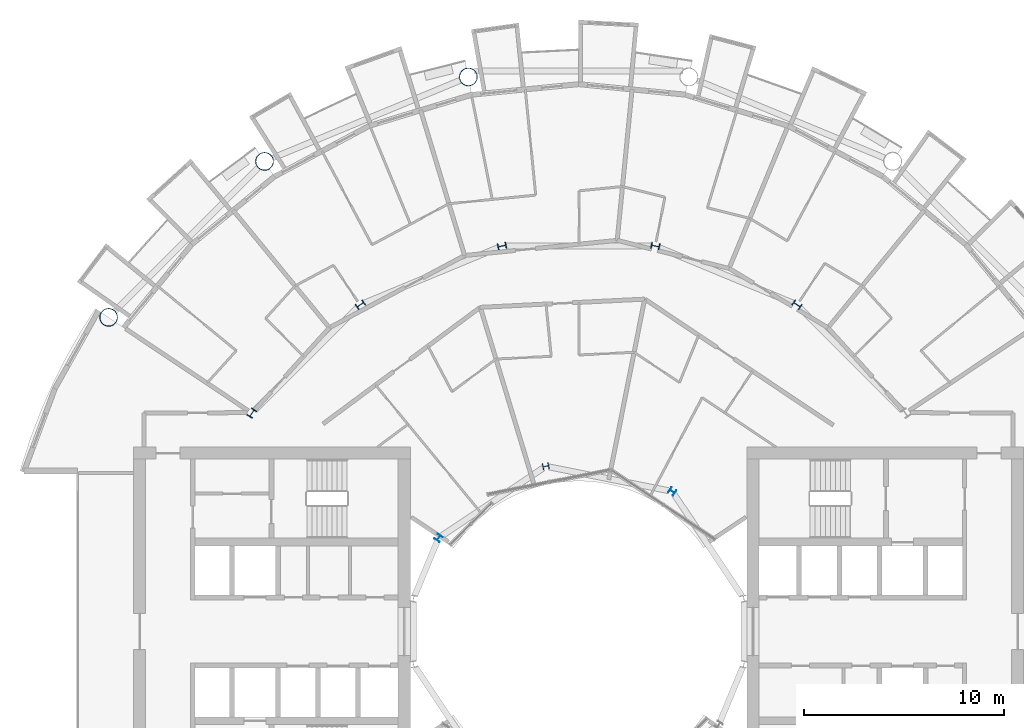
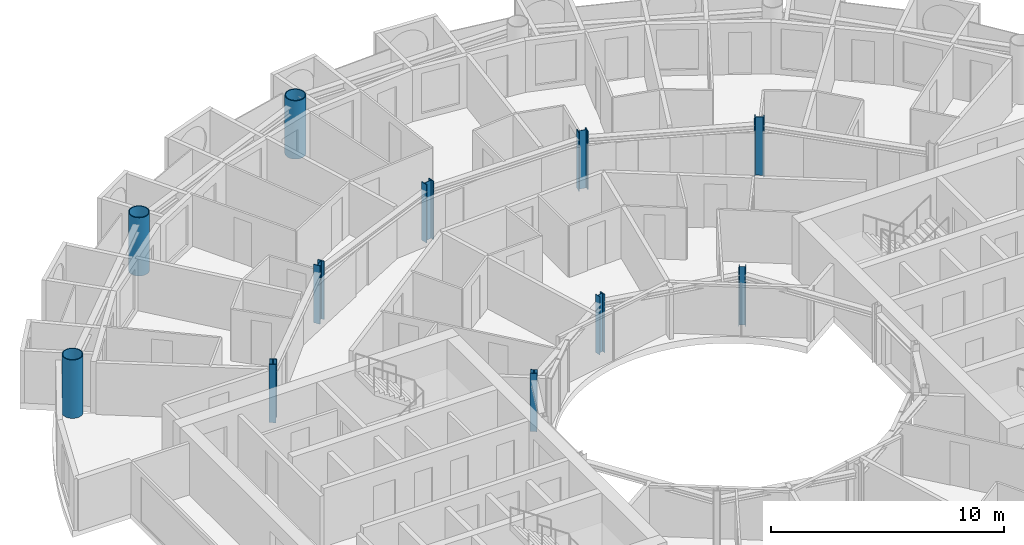
# One storey, part 3 of 27: 11 columns.
"""IFC4 building model written with IfcOpenShell, lengths in metres."""

from ifc_helpers import new_model, si_unit, direction, frame, origin, origin_2d, place, context, subcontext, project, spatial, hollow_circle, i_section, extrude, material, material_profile, profile_set, type_object, element, save


model = new_model("IFC4")

# Units and contexts
model_context = context("Model", 3, precision=1e-05, world=origin(), true_north=direction((0.0, 1.0)))
body_context = subcontext(model_context, "Body", "Model", "MODEL_VIEW")
ifc_project = project(units=[si_unit("LENGTHUNIT", "METRE"), si_unit("AREAUNIT", "SQUARE_METRE"), si_unit("VOLUMEUNIT", "CUBIC_METRE"), si_unit("PLANEANGLEUNIT", "RADIAN"), si_unit("MASSUNIT", "GRAM", prefix="KILO")], contexts=[model_context])

# Site, building, storey
site_placement = place(None, origin())
site = spatial("IfcSite", under=ifc_project, at=site_placement, CompositionType="ELEMENT")
building_placement = place(site_placement, origin())
building = spatial("IfcBuilding", under=site, at=building_placement, Name="Maasbend Ring Residences", CompositionType="ELEMENT")
storey_placement = place(building_placement, frame((0.0, 0.0, 126.89990234375)))
storey = spatial("IfcBuildingStorey", under=building, at=storey_placement, Name="L36", CompositionType="ELEMENT", Elevation=126.89990234375)

# Columns
ifc_material_1 = material(Name="Composite concrete-filled steel tube S460NH / C80/95", Category="concrete")
ifc_material_profile_1 = material_profile(ifc_material_1, hollow_circle(Radius=0.45703125, WallThickness=0.0400390625, at=origin_2d()), Name="Composite tube column CHS 914x40")
ifc_profile_set_1 = profile_set([ifc_material_profile_1], Name="Composite concrete-filled steel tube S460NH / C80/95")
column_type_1 = type_object("IfcColumnType", Name="Composite tube column CHS 914x40", PredefinedType="COLUMN", material=ifc_profile_set_1)
for number, where, z_axis, x_axis, name in (
    (1, (-5.50146484375, 27.658203125, 0.0), (0.0, 0.0, 1.0), (1.0, 0.0, 0.0), "Outer column R5"),
    (2, (-15.6669921875, 23.447509765625, 0.0), (0.0, 0.0, 1.0), (1.0, 0.0, 0.0), "Outer column R6"),
    (3, (-23.447509765625, 15.6669921875, 0.0), (0.0, 0.0, 1.0), (1.0, 0.0, 0.0), "Outer column R7"),
):
    element("IfcColumn", number, at=place(storey_placement, frame(where, z_axis=z_axis, x_axis=x_axis)), inside=storey, type_object=column_type_1, Name=name, PredefinedType="COLUMN", context=body_context, shape_type="SweptSolid", body=[
        extrude(hollow_circle(Radius=0.45703125, WallThickness=0.0400390625, at=origin_2d()), origin(), (0.0, 0.0, 1.0), 3.050048828125),
    ])
ifc_material_2 = material(Name="Steel S355J2", Category="steel")
ifc_material_profile_2 = material_profile(ifc_material_2, i_section(OverallWidth=0.300048828125, OverallDepth=0.300048828125, WebThickness=0.010986328125, FlangeThickness=0.01904296875, FilletRadius=0.027099609375, at=origin_2d()), Name="HEB 300")
ifc_profile_set_2 = profile_set([ifc_material_profile_2], Name="Steel S355J2")
column_type_2 = type_object("IfcColumnType", Name="Steel column HEB 300", PredefinedType="COLUMN", material=ifc_profile_set_2)
for number, where, z_axis, x_axis, name in (
    (4, (4.666748046875, 6.984375, 0.0), (0.0, 0.0, 1.0), (0.55557023302, 0.831469612303, 0.0), "Well ring column R3"),
    (5, (-1.638916015625, 8.238525390625, 0.0), (0.0, 0.0, 1.0), (-0.195090322016, 0.980785280403, 0.0), "Well ring column R5"),
    (6, (-6.984375, 4.666748046875, 0.0), (0.0, 0.0, 1.0), (-0.831469612303, 0.55557023302, 0.0), "Well ring column R7"),
):
    element("IfcColumn", number, at=place(storey_placement, frame(where, z_axis=z_axis, x_axis=x_axis)), inside=storey, type_object=column_type_2, Name=name, PredefinedType="COLUMN", context=body_context, shape_type="SweptSolid", body=[
        extrude(i_section(OverallWidth=0.300048828125, OverallDepth=0.300048828125, WebThickness=0.010986328125, FlangeThickness=0.01904296875, FilletRadius=0.027099609375, at=origin_2d()), origin(), (0.0, 0.0, 1.0), 3.050048828125),
    ])
ifc_material_3 = material(Name="Steel S460M", Category="steel")
ifc_material_profile_3 = material_profile(ifc_material_3, i_section(OverallWidth=0.306884765625, OverallDepth=0.431884765625, WebThickness=0.02099609375, FlangeThickness=0.0400390625, FilletRadius=0.027099609375, at=origin_2d()), Name="HEM 400")
ifc_profile_set_3 = profile_set([ifc_material_profile_3], Name="Steel S460M")
column_type_3 = type_object("IfcColumnType", Name="Steel column HEM 400", PredefinedType="COLUMN", material=ifc_profile_set_3)
for number, where, z_axis, x_axis, name in (
    (7, (10.88916015625, 16.296875, 0.0), (0.0, 0.0, 1.0), (0.55557023302, 0.831469612303, 0.0), "Corridor ring column R3"),
    (8, (3.82373046875, 19.223388671875, 0.0), (0.0, 0.0, 1.0), (0.195090322016, 0.980785280403, 0.0), "Corridor ring column R4"),
    (9, (-3.82373046875, 19.223388671875, 0.0), (0.0, 0.0, 1.0), (-0.195090322016, 0.980785280403, 0.0), "Corridor ring column R5"),
    (10, (-10.88916015625, 16.296875, 0.0), (0.0, 0.0, 1.0), (-0.55557023302, 0.831469612303, 0.0), "Corridor ring column R6"),
    (11, (-16.296875, 10.88916015625, 0.0), (0.0, 0.0, 1.0), (-0.831469612303, 0.55557023302, 0.0), "Corridor ring column R7"),
):
    element("IfcColumn", number, at=place(storey_placement, frame(where, z_axis=z_axis, x_axis=x_axis)), inside=storey, type_object=column_type_3, Name=name, PredefinedType="COLUMN", context=body_context, shape_type="SweptSolid", body=[
        extrude(i_section(OverallWidth=0.306884765625, OverallDepth=0.431884765625, WebThickness=0.02099609375, FlangeThickness=0.0400390625, FilletRadius=0.027099609375, at=origin_2d()), origin(), (0.0, 0.0, 1.0), 3.050048828125),
    ])

save(model, "model.ifc")
